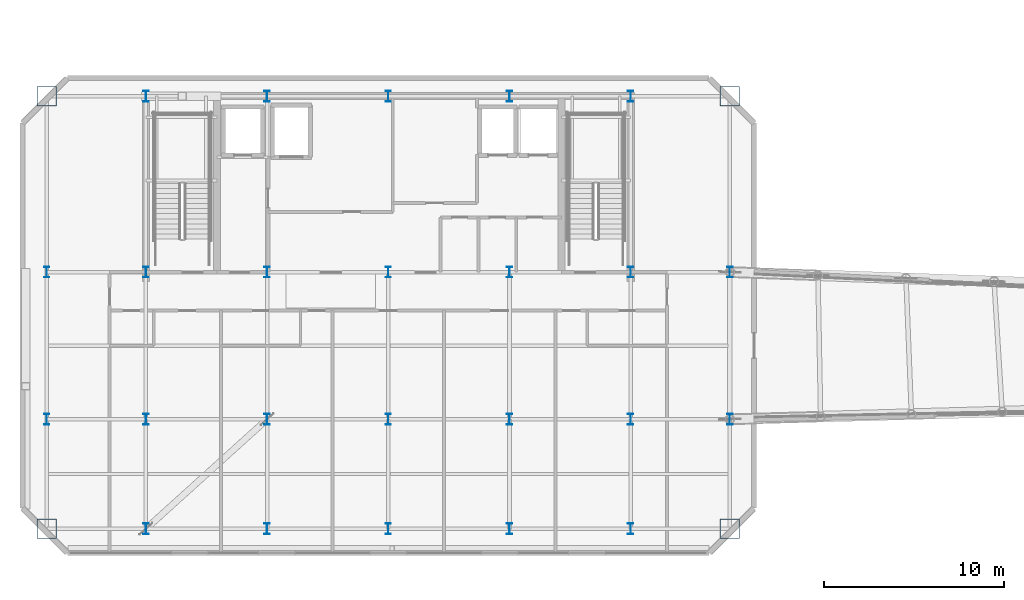
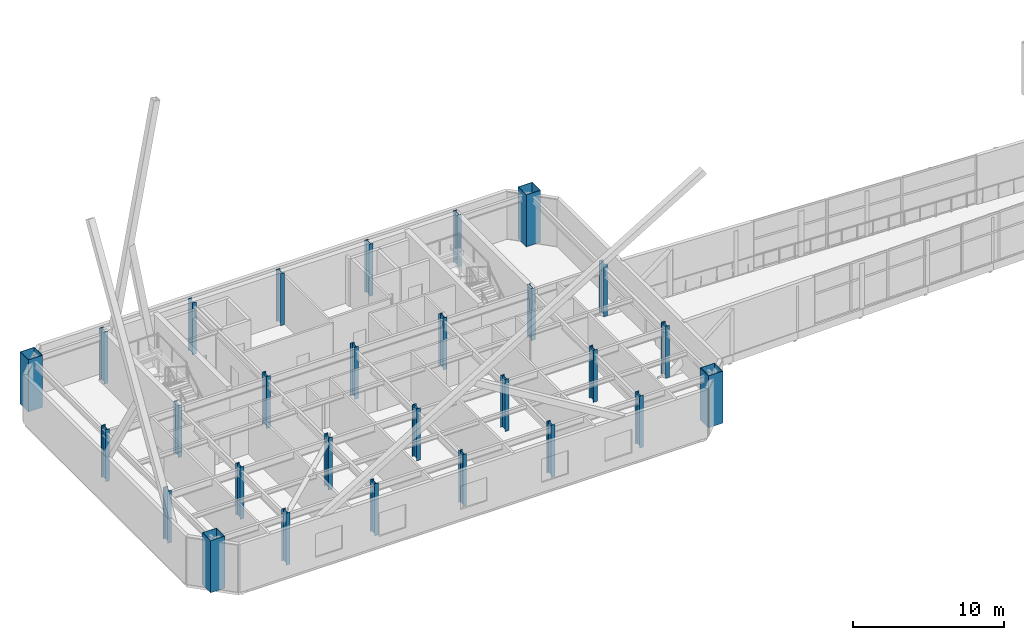
# One storey, part 1 of 23: 28 columns.
"""IFC4 building model written with IfcOpenShell, lengths in metres."""

from ifc_helpers import new_model, si_unit, direction, frame, origin, origin_2d, place, context, subcontext, project, spatial, hollow_rectangle, i_section, extrude, material, material_profile, profile_set, type_object, element, save


model = new_model("IFC4")

# Units and contexts
model_context = context("Model", 3, precision=1e-05, world=origin(), true_north=direction((0.0, 1.0)))
body_context = subcontext(model_context, "Body", "Model", "MODEL_VIEW")
ifc_project = project(units=[si_unit("LENGTHUNIT", "METRE"), si_unit("AREAUNIT", "SQUARE_METRE"), si_unit("VOLUMEUNIT", "CUBIC_METRE"), si_unit("PLANEANGLEUNIT", "RADIAN"), si_unit("MASSUNIT", "GRAM", prefix="KILO")], contexts=[model_context])

# Site, building, storey
site_placement = place(None, origin())
site = spatial("IfcSite", under=ifc_project, at=site_placement, CompositionType="ELEMENT")
building_placement = place(site_placement, origin())
building = spatial("IfcBuilding", under=site, at=building_placement, Name="Haevon Station Towers", CompositionType="ELEMENT")
storey_placement = place(building_placement, frame((0.0, 0.0, 197.10009765625)))
storey = spatial("IfcBuildingStorey", under=building, at=storey_placement, Name="L54", CompositionType="ELEMENT", Elevation=197.10009765625)

# Columns
ifc_material_1 = material(Name="Steel S460", Category="steel")
ifc_material_profile_1 = material_profile(ifc_material_1, hollow_rectangle(XDim=1.10009765625, YDim=1.10009765625, WallThickness=0.031982421875, at=origin_2d()), Name="BOX-1100x1100x32")
ifc_profile_set_1 = profile_set([ifc_material_profile_1], Name="Steel S460")
column_type_1 = type_object("IfcColumnType", Name="COL-MC5", PredefinedType="COLUMN", material=ifc_profile_set_1)
for number, where, z_axis, x_axis, name in (
    (1, (18.47509765625, 23.89990234375, 0.0), (0.0, 0.0, 1.0), (1.0, 0.0, 0.0), "COL-T1-L54-01-01"),
    (2, (18.47509765625, 48.0, 0.0), (0.0, 0.0, 1.0), (1.0, 0.0, 0.0), "COL-T1-L54-01-04"),
    (3, (56.52490234375, 23.89990234375, 0.0), (0.0, 0.0, 1.0), (1.0, 0.0, 0.0), "COL-T1-L54-07-01"),
    (4, (56.52490234375, 48.0, 0.0), (0.0, 0.0, 1.0), (1.0, 0.0, 0.0), "COL-T1-L54-07-04"),
):
    element("IfcColumn", number, at=place(storey_placement, frame(where, z_axis=z_axis, x_axis=x_axis)), inside=storey, type_object=column_type_1, Name=name, PredefinedType="COLUMN", context=body_context, shape_type="SweptSolid", body=[
        extrude(hollow_rectangle(XDim=1.10009765625, YDim=1.10009765625, WallThickness=0.031982421875, at=origin_2d()), origin(), (0.0, 0.0, 1.0), 4.199951171875),
    ])
ifc_material_2 = material(Name="Steel S355", Category="steel")
ifc_material_profile_2 = material_profile(ifc_material_2, i_section(OverallWidth=0.300048828125, OverallDepth=0.60009765625, WebThickness=0.013916015625, FlangeThickness=0.02490234375, at=origin_2d()), Name="H-600x300x14x25")
ifc_profile_set_2 = profile_set([ifc_material_profile_2], Name="Steel S355")
column_type_2 = type_object("IfcColumnType", Name="COL-TW4", PredefinedType="COLUMN", material=ifc_profile_set_2)
for number, where, z_axis, x_axis, name in (
    (5, (18.47509765625, 30.0, 0.0), (0.0, 0.0, 1.0), (1.0, 0.0, 0.0), "COL-T1-L54-01-02"),
    (6, (18.47509765625, 38.199951171875, 0.0), (0.0, 0.0, 1.0), (1.0, 0.0, 0.0), "COL-T1-L54-01-03"),
    (7, (24.0, 23.89990234375, 0.0), (0.0, 0.0, 1.0), (1.0, 0.0, 0.0), "COL-T1-L54-02-01"),
    (8, (24.0, 30.0, 0.0), (0.0, 0.0, 1.0), (1.0, 0.0, 0.0), "COL-T1-L54-02-02"),
    (9, (24.0, 38.199951171875, 0.0), (0.0, 0.0, 1.0), (1.0, 0.0, 0.0), "COL-T1-L54-02-03"),
    (10, (24.0, 48.0, 0.0), (0.0, 0.0, 1.0), (1.0, 0.0, 0.0), "COL-T1-L54-02-04"),
    (11, (30.75, 23.89990234375, 0.0), (0.0, 0.0, 1.0), (1.0, 0.0, 0.0), "COL-T1-L54-03-01"),
    (12, (30.75, 30.0, 0.0), (0.0, 0.0, 1.0), (1.0, 0.0, 0.0), "COL-T1-L54-03-02"),
    (13, (30.75, 38.199951171875, 0.0), (0.0, 0.0, 1.0), (1.0, 0.0, 0.0), "COL-T1-L54-03-03"),
    (14, (30.75, 48.0, 0.0), (0.0, 0.0, 1.0), (1.0, 0.0, 0.0), "COL-T1-L54-03-04"),
    (15, (37.5, 23.89990234375, 0.0), (0.0, 0.0, 1.0), (1.0, 0.0, 0.0), "COL-T1-L54-04-01"),
    (16, (37.5, 30.0, 0.0), (0.0, 0.0, 1.0), (1.0, 0.0, 0.0), "COL-T1-L54-04-02"),
    (17, (37.5, 38.199951171875, 0.0), (0.0, 0.0, 1.0), (1.0, 0.0, 0.0), "COL-T1-L54-04-03"),
    (18, (37.5, 48.0, 0.0), (0.0, 0.0, 1.0), (1.0, 0.0, 0.0), "COL-T1-L54-04-04"),
    (19, (44.25, 23.89990234375, 0.0), (0.0, 0.0, 1.0), (1.0, 0.0, 0.0), "COL-T1-L54-05-01"),
    (20, (44.25, 30.0, 0.0), (0.0, 0.0, 1.0), (1.0, 0.0, 0.0), "COL-T1-L54-05-02"),
    (21, (44.25, 38.199951171875, 0.0), (0.0, 0.0, 1.0), (1.0, 0.0, 0.0), "COL-T1-L54-05-03"),
    (22, (44.25, 48.0, 0.0), (0.0, 0.0, 1.0), (1.0, 0.0, 0.0), "COL-T1-L54-05-04"),
    (23, (51.0, 23.89990234375, 0.0), (0.0, 0.0, 1.0), (1.0, 0.0, 0.0), "COL-T1-L54-06-01"),
    (24, (51.0, 30.0, 0.0), (0.0, 0.0, 1.0), (1.0, 0.0, 0.0), "COL-T1-L54-06-02"),
    (25, (51.0, 38.199951171875, 0.0), (0.0, 0.0, 1.0), (1.0, 0.0, 0.0), "COL-T1-L54-06-03"),
    (26, (51.0, 48.0, 0.0), (0.0, 0.0, 1.0), (1.0, 0.0, 0.0), "COL-T1-L54-06-04"),
    (27, (56.52490234375, 30.0, 0.0), (0.0, 0.0, 1.0), (1.0, 0.0, 0.0), "COL-T1-L54-07-02"),
    (28, (56.52490234375, 38.199951171875, 0.0), (0.0, 0.0, 1.0), (1.0, 0.0, 0.0), "COL-T1-L54-07-03"),
):
    element("IfcColumn", number, at=place(storey_placement, frame(where, z_axis=z_axis, x_axis=x_axis)), inside=storey, type_object=column_type_2, Name=name, PredefinedType="COLUMN", context=body_context, shape_type="SweptSolid", body=[
        extrude(i_section(OverallWidth=0.300048828125, OverallDepth=0.60009765625, WebThickness=0.013916015625, FlangeThickness=0.02490234375, at=origin_2d()), origin(), (0.0, 0.0, 1.0), 4.199951171875),
    ])

save(model, "model.ifc")
